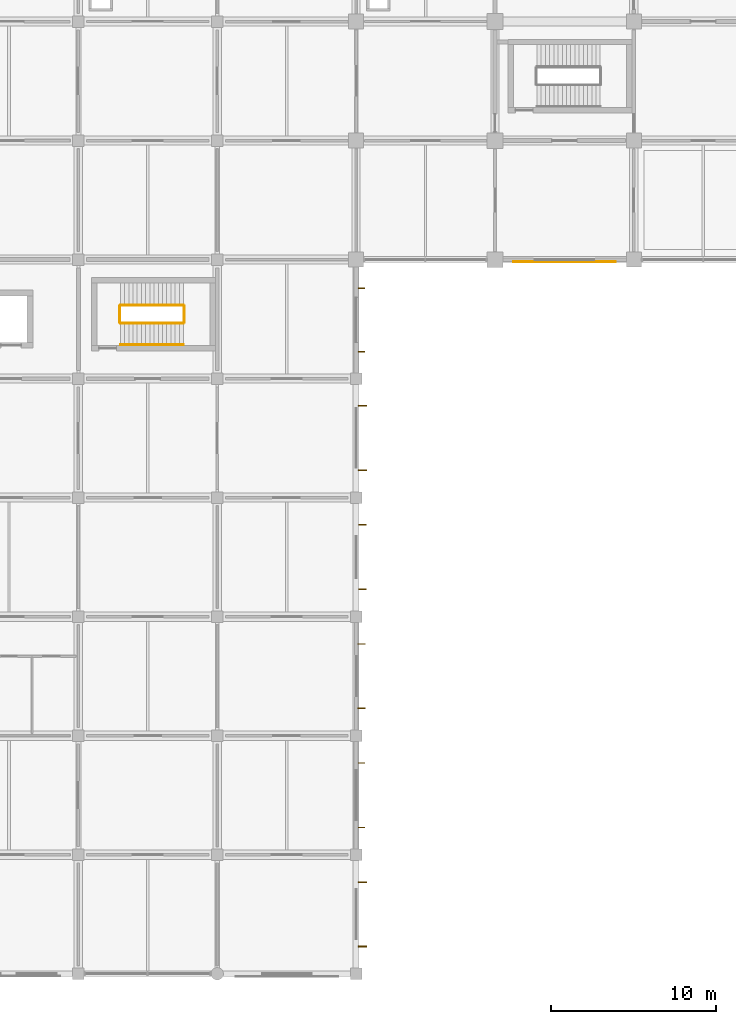
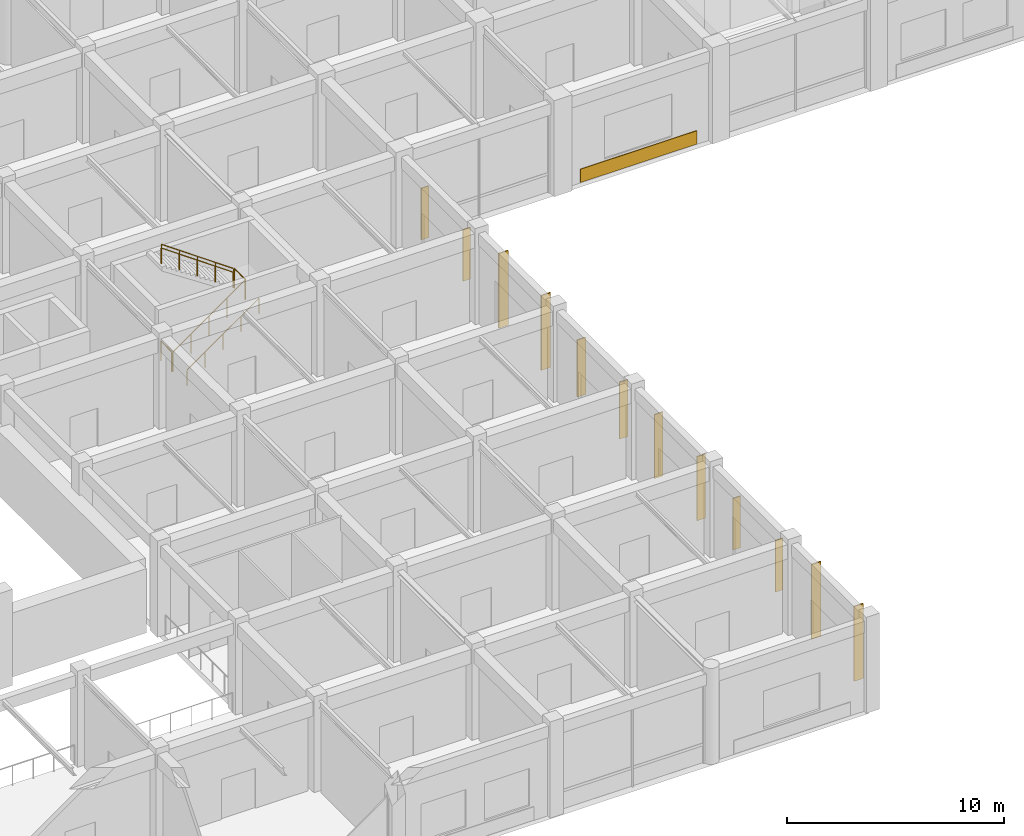
# One storey, part 35 of 41: 12 shading devices, 6 railings, 1 covering.
"""IFC4 building model written with IfcOpenShell, lengths in metres."""

from ifc_helpers import new_model, si_unit, derived_unit, direction, frame, origin, origin_2d, place, context, subcontext, project, spatial, rectangle, circle, extrude, material, layer, layer_set, type_object, element, save


model = new_model("IFC4")

# Units and contexts
model_context = context("Model", 3, precision=1e-05, world=origin(), true_north=direction((0.0, 1.0)))
body_context = subcontext(model_context, "Body", "Model", "MODEL_VIEW")
ifc_project = project(units=[si_unit("LENGTHUNIT", "METRE"), si_unit("AREAUNIT", "SQUARE_METRE"), si_unit("VOLUMEUNIT", "CUBIC_METRE"), si_unit("PLANEANGLEUNIT", "RADIAN"), si_unit("MASSUNIT", "GRAM", prefix="KILO"), derived_unit("THERMALTRANSMITTANCEUNIT", [(si_unit("MASSUNIT", "GRAM", prefix="KILO"), 1), (si_unit("TIMEUNIT", "SECOND"), -3), (si_unit("THERMODYNAMICTEMPERATUREUNIT", "KELVIN"), -1)])], contexts=[model_context])

# Site, building, storey
site_placement = place(None, origin())
site = spatial("IfcSite", under=ifc_project, at=site_placement, CompositionType="ELEMENT")
building_placement = place(site_placement, origin())
building = spatial("IfcBuilding", under=site, at=building_placement, Name="Veldstrom Oceanarium and Marine Research Institute", CompositionType="ELEMENT")
storey_placement = place(building_placement, frame((0.0, 0.0, 6.0)))
storey = spatial("IfcBuildingStorey", under=building, at=storey_placement, Name="L01", CompositionType="ELEMENT", Elevation=6.0)

# Covering
ifc_material_1 = material(Name="Terracotta Spandrel Rainscreen Cladding", Category="masonry")
ifc_layer_1 = layer(ifc_material_1, 0.75)
ifc_layer_set_1 = layer_set([ifc_layer_1], Name="ARC-COV-CD2")
covering_type = type_object("IfcCoveringType", Name="ARC-COV-CD2", PredefinedType="CLADDING", material=ifc_layer_set_1)
covering_placement = place(storey_placement, frame((79.8125, 43.076416015625, 0.044921875), z_axis=(0.0, 0.0, 1.0), x_axis=(1.0, 0.0, 0.0)))
element("IfcCovering", 1, at=covering_placement, inside=storey, type_object=covering_type, Name="Spandrel Rainscreen Cladding L01-045", PredefinedType="CLADDING", context=body_context, shape_type="SweptSolid", body=[
    extrude(rectangle(XDim=6.199951171875, YDim=0.0400390625, at=origin_2d()), origin(), (0.0, 0.0, 1.0), 0.75),
])

# Railings
ifc_material_2 = material(Name="Duplex Stainless Steel Balustrade", Category="steel")
ifc_layer_2 = layer(ifc_material_2, 0.06005859375)
ifc_layer_set_2 = layer_set([ifc_layer_2], Name="ARC-RLG-GR1")
railing_type_1 = type_object("IfcRailingType", Name="ARC-RLG-GR1", PredefinedType="GUARDRAIL", material=ifc_layer_set_2)
railing_1_placement = place(storey_placement, frame((52.89990234375, 39.39990234375, 0.0)))
element("IfcRailing", 2, at=railing_1_placement, inside=storey, type_object=railing_type_1, Name="Stair Well Landing Guard ST6 L01", PredefinedType="GUARDRAIL", context=body_context, shape_type="SweptSolid", body=[
    extrude(circle(Radius=0.02392578125, at=origin_2d()), frame((0.0, 0.0, 1.09619140625), z_axis=(0.0, 1.0, 0.0), x_axis=(-1.0, 0.0, 0.0)), (0.0, 0.0, 1.0), 1.0),
    extrude(circle(Radius=0.02099609375, at=origin_2d()), origin(), (0.0, 0.0, 1.0), 1.072021484375),
    extrude(circle(Radius=0.02099609375, at=origin_2d()), frame((0.0, 1.0, 0.0)), (0.0, 0.0, 1.0), 1.072021484375),
])
railing_2_placement = place(storey_placement, frame((52.93994140625, 39.360107421875, 0.0)))
element("IfcRailing", 3, at=railing_2_placement, inside=storey, type_object=railing_type_1, Name="Stair Flight Guardrail ST6-L01-1", PredefinedType="GUARDRAIL", context=body_context, shape_type="SweptSolid", body=[
    extrude(circle(Radius=0.02392578125, at=origin_2d()), frame((0.0, 0.0, 1.09619140625), z_axis=(0.816969308413, 0.0, 0.5766811503), x_axis=(0.0, 1.0, 0.0)), (0.0, 0.0, 1.0), 4.681884765625),
    extrude(circle(Radius=0.02099609375, at=origin_2d()), origin(), (0.0, 0.0, 1.0), 1.072021484375),
    extrude(circle(Radius=0.02099609375, at=origin_2d()), frame((0.956298828125, 0.0, 0.675048828125)), (0.0, 0.0, 1.0), 1.072021484375),
    extrude(circle(Radius=0.02099609375, at=origin_2d()), frame((1.91259765625, 0.0, 1.35009765625)), (0.0, 0.0, 1.0), 1.072021484375),
    extrude(circle(Radius=0.02099609375, at=origin_2d()), frame((2.86865234375, 0.0, 2.02490234375)), (0.0, 0.0, 1.0), 1.072021484375),
    extrude(circle(Radius=0.02099609375, at=origin_2d()), frame((3.824951171875, 0.0, 2.699951171875)), (0.0, 0.0, 1.0), 1.072021484375),
])
railing_3_placement = place(storey_placement, frame((56.804931640625, 39.39990234375, 2.699951171875)))
element("IfcRailing", 4, at=railing_3_placement, inside=storey, type_object=railing_type_1, Name="Stair Half-Landing Guardrail ST6-L01", PredefinedType="GUARDRAIL", context=body_context, shape_type="SweptSolid", body=[
    extrude(circle(Radius=0.02392578125, at=origin_2d()), frame((0.0, 0.0, 1.09619140625), z_axis=(0.0, 1.0, 0.0), x_axis=(-1.0, 0.0, 0.0)), (0.0, 0.0, 1.0), 1.0),
    extrude(circle(Radius=0.02099609375, at=origin_2d()), origin(), (0.0, 0.0, 1.0), 1.072021484375),
    extrude(circle(Radius=0.02099609375, at=origin_2d()), frame((0.0, 1.0, 0.0)), (0.0, 0.0, 1.0), 1.072021484375),
])
railing_4_placement = place(storey_placement, frame((56.764892578125, 40.43994140625, 2.699951171875)))
element("IfcRailing", 5, at=railing_4_placement, inside=storey, type_object=railing_type_1, Name="Stair Flight Guardrail ST6-L01-2", PredefinedType="GUARDRAIL", context=body_context, shape_type="SweptSolid", body=[
    extrude(circle(Radius=0.02392578125, at=origin_2d()), frame((0.0, 0.0, 1.09619140625), z_axis=(-0.816969308413, 0.0, 0.5766811503), x_axis=(0.0, -1.0, 0.0)), (0.0, 0.0, 1.0), 4.681884765625),
    extrude(circle(Radius=0.02099609375, at=origin_2d()), origin(), (0.0, 0.0, 1.0), 1.072021484375),
    extrude(circle(Radius=0.02099609375, at=origin_2d()), frame((-0.956298828125, 0.0, 0.675048828125)), (0.0, 0.0, 1.0), 1.072021484375),
    extrude(circle(Radius=0.02099609375, at=origin_2d()), frame((-1.91259765625, 0.0, 1.35009765625)), (0.0, 0.0, 1.0), 1.072021484375),
    extrude(circle(Radius=0.02099609375, at=origin_2d()), frame((-2.86865234375, 0.0, 2.02490234375)), (0.0, 0.0, 1.0), 1.072021484375),
    extrude(circle(Radius=0.02099609375, at=origin_2d()), frame((-3.824951171875, 0.0, 2.699951171875)), (0.0, 0.0, 1.0), 1.072021484375),
])
ifc_material_3 = material(Name="Brushed Stainless Steel Handrail", Category="steel")
ifc_layer_3 = layer(ifc_material_3, 0.050048828125)
ifc_layer_set_3 = layer_set([ifc_layer_3], Name="ARC-RLG-HR1")
railing_type_2 = type_object("IfcRailingType", Name="ARC-RLG-HR1", PredefinedType="HANDRAIL", material=ifc_layer_set_3)
railing_5_placement = place(storey_placement, frame((52.93994140625, 38.06005859375, 0.0)))
element("IfcRailing", 6, at=railing_5_placement, inside=storey, type_object=railing_type_2, Name="Stair Wall Handrail ST6-L01-1", PredefinedType="HANDRAIL", context=body_context, shape_type="SweptSolid", body=[
    extrude(circle(Radius=0.02392578125, at=origin_2d()), frame((0.0, 0.0, 0.8759765625), z_axis=(0.816969308413, 0.0, 0.5766811503), x_axis=(0.0, 1.0, 0.0)), (0.0, 0.0, 1.0), 4.681884765625),
    extrude(circle(Radius=0.02099609375, at=origin_2d()), origin(), (0.0, 0.0, 1.0), 0.851806640625),
    extrude(circle(Radius=0.02099609375, at=origin_2d()), frame((0.956298828125, 0.0, 0.675048828125)), (0.0, 0.0, 1.0), 0.851806640625),
    extrude(circle(Radius=0.02099609375, at=origin_2d()), frame((1.91259765625, 0.0, 1.35009765625)), (0.0, 0.0, 1.0), 0.851806640625),
    extrude(circle(Radius=0.02099609375, at=origin_2d()), frame((2.86865234375, 0.0, 2.02490234375)), (0.0, 0.0, 1.0), 0.851806640625),
    extrude(circle(Radius=0.02099609375, at=origin_2d()), frame((3.824951171875, 0.0, 2.699951171875)), (0.0, 0.0, 1.0), 0.851806640625),
])
railing_6_placement = place(storey_placement, frame((56.764892578125, 40.4599609375, 2.699951171875)))
element("IfcRailing", 7, at=railing_6_placement, inside=storey, type_object=railing_type_2, Name="Stair Wall Handrail ST6-L01-2", PredefinedType="HANDRAIL", context=body_context, shape_type="SweptSolid", body=[
    extrude(circle(Radius=0.02392578125, at=origin_2d()), frame((0.0, 0.0, 0.8759765625), z_axis=(-0.816969308413, 0.0, 0.5766811503), x_axis=(0.0, -1.0, 0.0)), (0.0, 0.0, 1.0), 4.681884765625),
    extrude(circle(Radius=0.02099609375, at=origin_2d()), origin(), (0.0, 0.0, 1.0), 0.851806640625),
    extrude(circle(Radius=0.02099609375, at=origin_2d()), frame((-0.956298828125, 0.0, 0.675048828125)), (0.0, 0.0, 1.0), 0.851806640625),
    extrude(circle(Radius=0.02099609375, at=origin_2d()), frame((-1.91259765625, 0.0, 1.35009765625)), (0.0, 0.0, 1.0), 0.851806640625),
    extrude(circle(Radius=0.02099609375, at=origin_2d()), frame((-2.86865234375, 0.0, 2.02490234375)), (0.0, 0.0, 1.0), 0.851806640625),
    extrude(circle(Radius=0.02099609375, at=origin_2d()), frame((-3.824951171875, 0.0, 2.699951171875)), (0.0, 0.0, 1.0), 0.851806640625),
])

# Shading devices
ifc_material_4 = material(Name="Precast Terracotta Brise-Soleil Louvre", Category="masonry")
ifc_layer_4 = layer(ifc_material_4, 3.60009765625)
ifc_layer_set_4 = layer_set([ifc_layer_4], Name="ARC-SHD-BS01")
shading_device_type_1 = type_object("IfcShadingDeviceType", Name="ARC-SHD-BS01", PredefinedType="JALOUSIE", material=ifc_layer_set_4)
for number, where, z_axis, x_axis, name in (
    (8, (67.527587890625, 16.050048828125, 0.737548828125), (0.0, 0.0, 1.0), (1.0, 0.0, 0.0), "Terracotta Brise-Soleil Louvre L01-040"),
    (9, (67.527587890625, 19.949951171875, 0.737548828125), (0.0, 0.0, 1.0), (1.0, 0.0, 0.0), "Terracotta Brise-Soleil Louvre L01-040"),
):
    element("IfcShadingDevice", number, at=place(storey_placement, frame(where, z_axis=z_axis, x_axis=x_axis)), inside=storey, type_object=shading_device_type_1, Name=name, PredefinedType="JALOUSIE", context=body_context, shape_type="SweptSolid", body=[
        extrude(rectangle(XDim=0.449951171875, YDim=0.06005859375, at=origin_2d()), origin(), (0.0, 0.0, 1.0), 3.60009765625),
    ])
ifc_material_5 = material(Name="Precast Terracotta Brise-Soleil Louvre", Category="masonry")
ifc_layer_5 = layer(ifc_material_5, 3.199951171875)
ifc_layer_set_5 = layer_set([ifc_layer_5], Name="ARC-SHD-BS02")
shading_device_type_2 = type_object("IfcShadingDeviceType", Name="ARC-SHD-BS02", PredefinedType="JALOUSIE", material=ifc_layer_set_5)
for number, where, z_axis, x_axis, name in (
    (10, (67.574951171875, 23.25, 0.9375), (0.0, 0.0, 1.0), (1.0, 0.0, 0.0), "Terracotta Brise-Soleil Louvre L01-041"),
    (11, (67.574951171875, 27.14990234375, 0.9375), (0.0, 0.0, 1.0), (1.0, 0.0, 0.0), "Terracotta Brise-Soleil Louvre L01-041"),
):
    element("IfcShadingDevice", number, at=place(storey_placement, frame(where, z_axis=z_axis, x_axis=x_axis)), inside=storey, type_object=shading_device_type_2, Name=name, PredefinedType="JALOUSIE", context=body_context, shape_type="SweptSolid", body=[
        extrude(rectangle(XDim=0.449951171875, YDim=0.06005859375, at=origin_2d()), origin(), (0.0, 0.0, 1.0), 3.199951171875),
    ])
ifc_material_6 = material(Name="Precast Terracotta Brise-Soleil Louvre", Category="masonry")
ifc_layer_6 = layer(ifc_material_6, 4.199951171875)
ifc_layer_set_6 = layer_set([ifc_layer_6], Name="ARC-SHD-BS03")
shading_device_type_3 = type_object("IfcShadingDeviceType", Name="ARC-SHD-BS03", PredefinedType="JALOUSIE", material=ifc_layer_set_6)
for number, where, z_axis, x_axis, name in (
    (12, (67.580078125, 1.64990234375, 0.4375), (0.0, 0.0, 1.0), (1.0, 0.0, 0.0), "Terracotta Brise-Soleil Louvre L01-038"),
    (13, (67.580078125, 5.550048828125, 0.4375), (0.0, 0.0, 1.0), (1.0, 0.0, 0.0), "Terracotta Brise-Soleil Louvre L01-038"),
    (14, (67.590087890625, 30.449951171875, 0.4375), (0.0, 0.0, 1.0), (1.0, 0.0, 0.0), "Terracotta Brise-Soleil Louvre L01-042"),
    (15, (67.590087890625, 34.35009765625, 0.4375), (0.0, 0.0, 1.0), (1.0, 0.0, 0.0), "Terracotta Brise-Soleil Louvre L01-042"),
):
    element("IfcShadingDevice", number, at=place(storey_placement, frame(where, z_axis=z_axis, x_axis=x_axis)), inside=storey, type_object=shading_device_type_3, Name=name, PredefinedType="JALOUSIE", context=body_context, shape_type="SweptSolid", body=[
        extrude(rectangle(XDim=0.5, YDim=0.06494140625, at=origin_2d()), origin(), (0.0, 0.0, 1.0), 4.199951171875),
    ])
ifc_material_7 = material(Name="Precast Terracotta Brise-Soleil Louvre", Category="masonry")
ifc_layer_7 = layer(ifc_material_7, 2.89990234375)
ifc_layer_set_7 = layer_set([ifc_layer_7], Name="ARC-SHD-BS04")
shading_device_type_4 = type_object("IfcShadingDeviceType", Name="ARC-SHD-BS04", PredefinedType="JALOUSIE", material=ifc_layer_set_7)
for number, where, z_axis, x_axis, name in (
    (16, (67.52001953125, 8.85009765625, 1.087646484375), (0.0, 0.0, 1.0), (1.0, 0.0, 0.0), "Terracotta Brise-Soleil Louvre L01-039"),
    (17, (67.52001953125, 12.75, 1.087646484375), (0.0, 0.0, 1.0), (1.0, 0.0, 0.0), "Terracotta Brise-Soleil Louvre L01-039"),
    (18, (67.530029296875, 37.6298828125, 1.087646484375), (0.0, 0.0, 1.0), (1.0, 0.0, 0.0), "Terracotta Brise-Soleil Louvre L01-043"),
    (19, (67.530029296875, 41.469970703125, 1.087646484375), (0.0, 0.0, 1.0), (1.0, 0.0, 0.0), "Terracotta Brise-Soleil Louvre L01-043"),
):
    element("IfcShadingDevice", number, at=place(storey_placement, frame(where, z_axis=z_axis, x_axis=x_axis)), inside=storey, type_object=shading_device_type_4, Name=name, PredefinedType="JALOUSIE", context=body_context, shape_type="SweptSolid", body=[
        extrude(rectangle(XDim=0.39990234375, YDim=0.054931640625, at=origin_2d()), origin(), (0.0, 0.0, 1.0), 2.89990234375),
    ])

save(model, "model.ifc")
